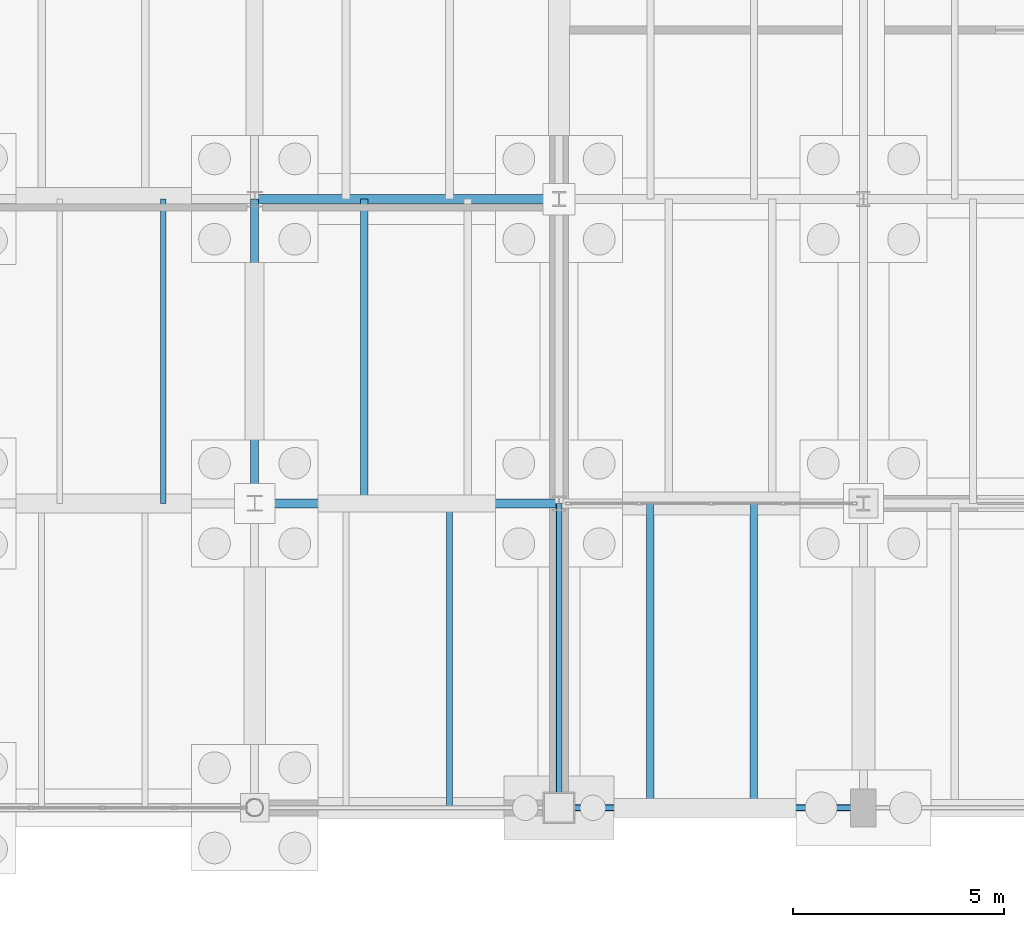
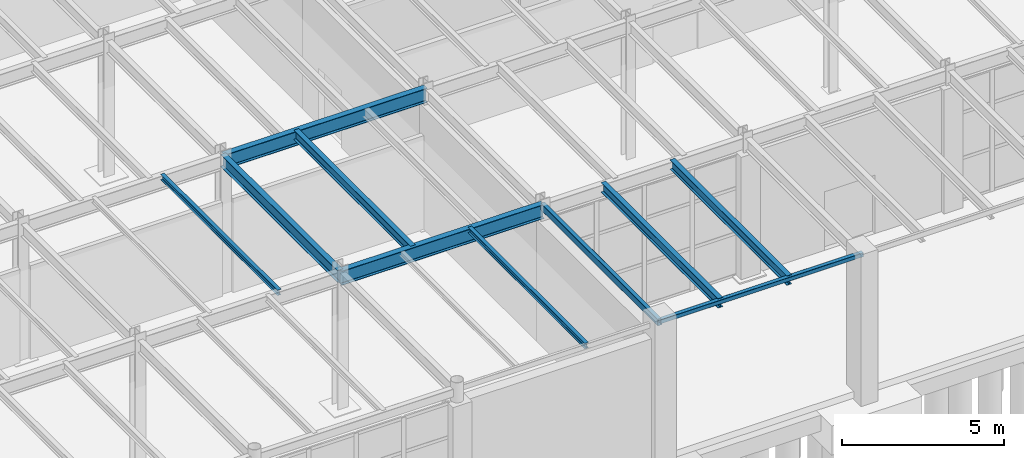
# One storey, part 54 of 293: 10 beams.
"""IFC4 building model written with IfcOpenShell, lengths in metres."""

from ifc_helpers import new_model, si_unit, direction, frame, origin, origin_2d, place, context, subcontext, project, spatial, hollow_rectangle, i_section, extrude, material, material_profile, profile_set, type_object, element, save


model = new_model("IFC4")

# Units and contexts
model_context = context("Model", 3, precision=1e-05, world=origin(), true_north=direction((0.0, 1.0)))
body_context = subcontext(model_context, "Body", "Model", "MODEL_VIEW")
ifc_project = project(units=[si_unit("LENGTHUNIT", "METRE"), si_unit("AREAUNIT", "SQUARE_METRE"), si_unit("VOLUMEUNIT", "CUBIC_METRE"), si_unit("PLANEANGLEUNIT", "RADIAN"), si_unit("MASSUNIT", "GRAM", prefix="KILO")], contexts=[model_context])

# Site, building, storey
site_placement = place(None, origin())
site = spatial("IfcSite", under=ifc_project, at=site_placement, CompositionType="ELEMENT")
building_placement = place(site_placement, origin())
building = spatial("IfcBuilding", under=site, at=building_placement, Name="Kemerveld Promenade Tramway Depot", CompositionType="ELEMENT")
storey_placement = place(building_placement, origin())
storey = spatial("IfcBuildingStorey", under=building, at=storey_placement, Name="L00", CompositionType="ELEMENT", Elevation=0.0)

# Beams
ifc_material = material(Name="Steel S355", Category="steel")
ifc_material_profile_1 = material_profile(ifc_material, i_section(OverallWidth=0.2099609375, OverallDepth=0.53662109375, WebThickness=0.0107421875, FlangeThickness=0.017333984375, FilletRadius=0.0126953125, at=origin_2d()), Name="533x210x101 UB")
ifc_profile_set_1 = profile_set([ifc_material_profile_1], Name="Steel S355")
beam_type_1 = type_object("IfcBeamType", Name="BM-G05", PredefinedType="BEAM", material=ifc_profile_set_1)
for number, where, z_axis, x_axis, name in (
    (1, (50.39990234375, 7.199951171875, 4.881591796875), (1.0, 0.0, 0.0), (0.0, 1.0, 0.0), "BMX-L00-08-09-B"),
    (2, (50.39990234375, 14.39990234375, 4.881591796875), (1.0, 0.0, 0.0), (0.0, 1.0, 0.0), "BMX-L00-08-09-C"),
):
    element("IfcBeam", number, at=place(storey_placement, frame(where, z_axis=z_axis, x_axis=x_axis)), inside=storey, type_object=beam_type_1, Name=name, PredefinedType="BEAM", context=body_context, shape_type="SweptSolid", body=[
        extrude(i_section(OverallWidth=0.2099609375, OverallDepth=0.53662109375, WebThickness=0.0107421875, FlangeThickness=0.017333984375, FilletRadius=0.0126953125, at=origin_2d()), origin(), (0.0, 0.0, 1.0), 7.2001953125),
    ])
ifc_material_profile_2 = material_profile(ifc_material, i_section(OverallWidth=0.19140625, OverallDepth=0.4599609375, WebThickness=0.010009765625, FlangeThickness=0.01611328125, FilletRadius=0.01025390625, at=origin_2d()), Name="457x191x82 UB")
ifc_profile_set_2 = profile_set([ifc_material_profile_2], Name="Steel S355")
beam_type_2 = type_object("IfcBeamType", Name="BM-G06", PredefinedType="BEAM", material=ifc_profile_set_2)
beam_1_placement = place(storey_placement, frame((50.39990234375, 7.199951171875, 4.919921875), z_axis=(0.0, 1.0, 0.0), x_axis=(-1.0, 0.0, 0.0)))
element("IfcBeam", 3, at=beam_1_placement, inside=storey, type_object=beam_type_2, Name="BMY-L00-08-B-C", PredefinedType="BEAM", context=body_context, shape_type="SweptSolid", body=[
    extrude(i_section(OverallWidth=0.19140625, OverallDepth=0.4599609375, WebThickness=0.010009765625, FlangeThickness=0.01611328125, FilletRadius=0.01025390625, at=origin_2d()), origin(), (0.0, 0.0, 1.0), 7.199951171875),
])
ifc_material_profile_3 = material_profile(ifc_material, i_section(OverallWidth=0.13330078125, OverallDepth=0.203125, WebThickness=0.005615234375, FlangeThickness=0.0078125, FilletRadius=0.007568359375, at=origin_2d()), Name="203x133x25 UB")
ifc_profile_set_3 = profile_set([ifc_material_profile_3], Name="Steel S355")
beam_type_3 = type_object("IfcBeamType", Name="BM-J03", PredefinedType="JOIST", material=ifc_profile_set_3)
for number, where, z_axis, x_axis, name in (
    (4, (48.239990234375, 7.199951171875, 5.04833984375), (0.0, 1.0, 0.0), (-1.0, 0.0, 0.0), "JST-L00-07-B-2"),
    (5, (55.008056640625, 0.0, 5.04833984375), (0.0, 1.0, 0.0), (-1.0, 0.0, 0.0), "JST-L00-08-A-2"),
):
    element("IfcBeam", number, at=place(storey_placement, frame(where, z_axis=z_axis, x_axis=x_axis)), inside=storey, type_object=beam_type_3, Name=name, PredefinedType="JOIST", context=body_context, shape_type="SweptSolid", body=[
        extrude(i_section(OverallWidth=0.13330078125, OverallDepth=0.203125, WebThickness=0.005615234375, FlangeThickness=0.0078125, FilletRadius=0.007568359375, at=origin_2d()), origin(), (0.0, 0.0, 1.0), 7.199951171875),
    ])
ifc_material_profile_4 = material_profile(ifc_material, i_section(OverallWidth=0.172119140625, OverallDepth=0.35791015625, WebThickness=0.008056640625, FlangeThickness=0.012939453125, FilletRadius=0.01025390625, at=origin_2d()), Name="356x171x57 UB")
ifc_profile_set_4 = profile_set([ifc_material_profile_4], Name="Steel S355")
beam_type_4 = type_object("IfcBeamType", Name="BM-J04", PredefinedType="JOIST", material=ifc_profile_set_4)
for number, where, z_axis, x_axis, name in (
    (6, (52.991943359375, 7.199951171875, 4.970947265625), (0.0, 1.0, 0.0), (-1.0, 0.0, 0.0), "JST-L00-08-B-1"),
    (7, (59.760009765625, 0.0, 4.99609375), (0.0, 1.0, 0.0), (-1.0, 0.0, 0.0), "JST-L00-09-A-1"),
    (8, (62.2080078125, 0.0, 4.99609375), (0.0, 1.0, 0.0), (-1.0, 0.0, 0.0), "JST-L00-09-A-2"),
):
    element("IfcBeam", number, at=place(storey_placement, frame(where, z_axis=z_axis, x_axis=x_axis)), inside=storey, type_object=beam_type_4, Name=name, PredefinedType="JOIST", context=body_context, shape_type="SweptSolid", body=[
        extrude(i_section(OverallWidth=0.172119140625, OverallDepth=0.35791015625, WebThickness=0.008056640625, FlangeThickness=0.012939453125, FilletRadius=0.01025390625, at=origin_2d()), origin(), (0.0, 0.0, 1.0), 7.199951171875),
    ])
ifc_material_profile_5 = material_profile(ifc_material, hollow_rectangle(XDim=0.14990234375, YDim=0.25, WallThickness=0.010009765625, InnerFilletRadius=0.0048828125, OuterFilletRadius=0.014892578125, at=origin_2d()), Name="250x150x10.0 RHS")
ifc_profile_set_5 = profile_set([ifc_material_profile_5], Name="Steel S355")
beam_type_5 = type_object("IfcBeamType", Name="BM-SP2", PredefinedType="SPANDREL", material=ifc_profile_set_5)
beam_2_placement = place(storey_placement, frame((57.60009765625, 0.0, 5.02490234375), z_axis=(0.0, 1.0, 0.0), x_axis=(-1.0, 0.0, 0.0)))
element("IfcBeam", 9, at=beam_2_placement, inside=storey, type_object=beam_type_5, Name="BMY-L00-09-A-B", PredefinedType="SPANDREL", context=body_context, shape_type="SweptSolid", body=[
    extrude(hollow_rectangle(XDim=0.14990234375, YDim=0.25, WallThickness=0.010009765625, InnerFilletRadius=0.0048828125, OuterFilletRadius=0.014892578125, at=origin_2d()), origin(), (0.0, 0.0, 1.0), 7.199951171875),
])
ifc_material_profile_6 = material_profile(ifc_material, hollow_rectangle(XDim=0.14990234375, YDim=0.14990234375, WallThickness=0.008056640625, InnerFilletRadius=0.00390625, OuterFilletRadius=0.011962890625, at=origin_2d()), Name="150x150x8.0 SHS")
ifc_profile_set_6 = profile_set([ifc_material_profile_6], Name="Steel S355")
beam_type_6 = type_object("IfcBeamType", Name="BM-SP4", PredefinedType="SPANDREL", material=ifc_profile_set_6)
beam_3_placement = place(storey_placement, frame((57.60009765625, 0.0, 5.074951171875), z_axis=(1.0, 0.0, 0.0), x_axis=(0.0, 1.0, 0.0)))
element("IfcBeam", 10, at=beam_3_placement, inside=storey, type_object=beam_type_6, Name="BMX-L00-09-10-A", PredefinedType="SPANDREL", context=body_context, shape_type="SweptSolid", body=[
    extrude(hollow_rectangle(XDim=0.14990234375, YDim=0.14990234375, WallThickness=0.008056640625, InnerFilletRadius=0.00390625, OuterFilletRadius=0.011962890625, at=origin_2d()), origin(), (0.0, 0.0, 1.0), 7.199951171875),
])

save(model, "model.ifc")
